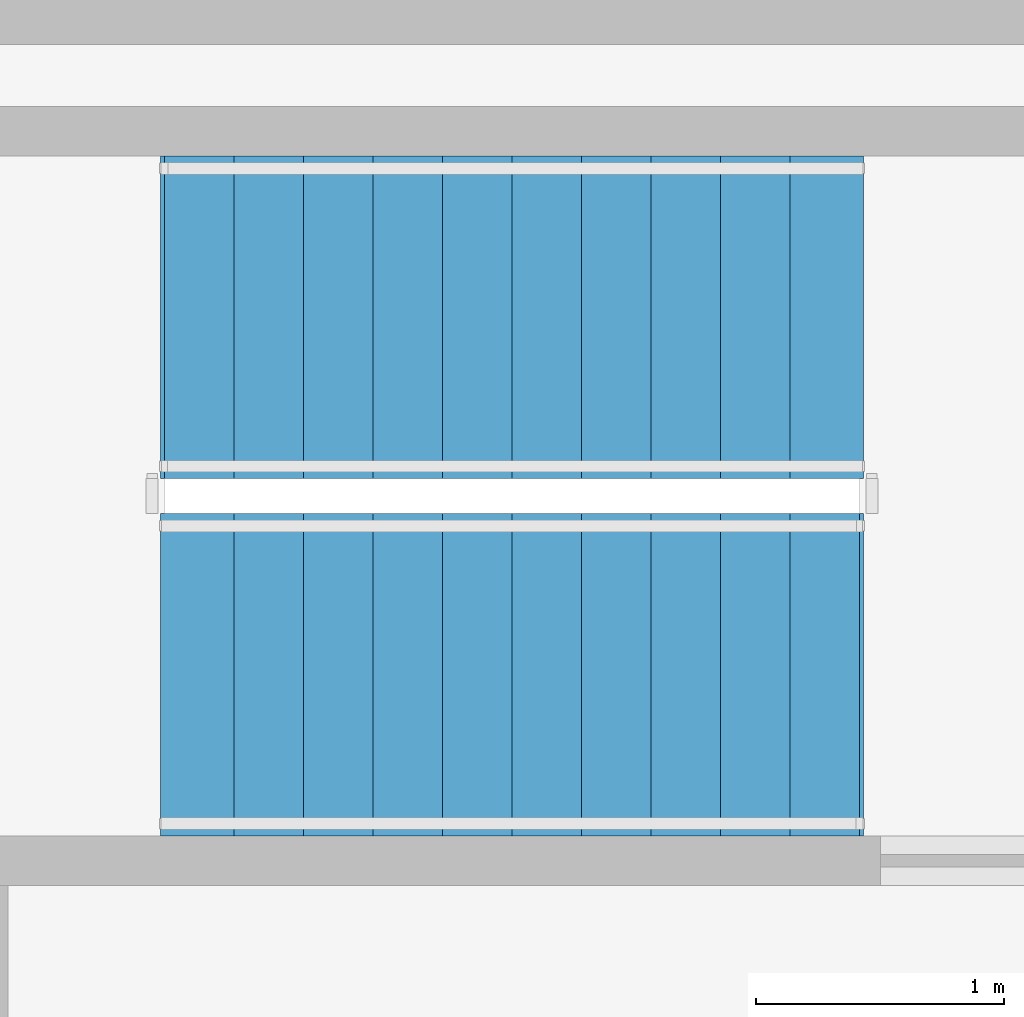
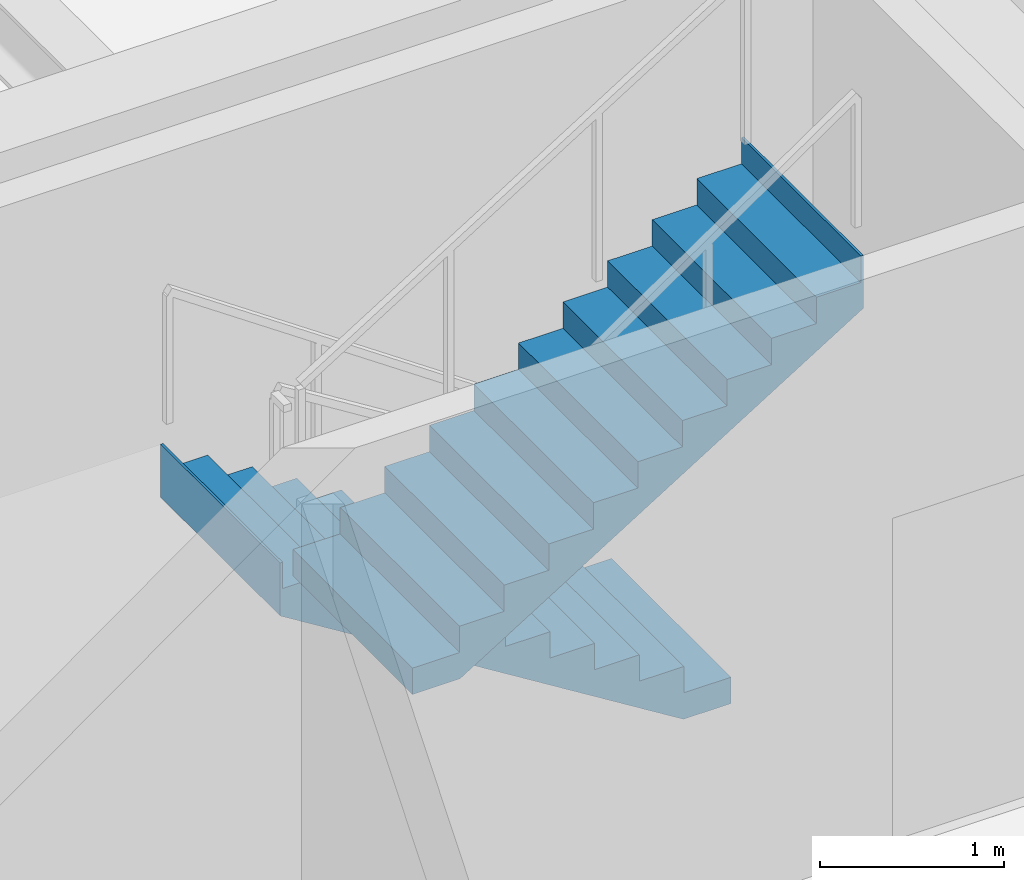
# One storey, part 9 of 13: 2 stair flights, 1 element without a shape of its own.
"""IFC4 building model written with IfcOpenShell, lengths in metres."""

from ifc_helpers import new_model, si_unit, derived_unit, direction, frame, origin, place, context, subcontext, project, spatial, polyline, outline, extrude, source, transform, mapped, material, layer, layer_set, type_object, element, aggregate, save


model = new_model("IFC4")

# Units and contexts
model_context = context("Model", 3, precision=1e-05, world=origin(), true_north=direction((0.0, 1.0)))
body_context = subcontext(model_context, "Body", "Model", "MODEL_VIEW")
ifc_project = project(units=[si_unit("LENGTHUNIT", "METRE"), si_unit("AREAUNIT", "SQUARE_METRE"), si_unit("VOLUMEUNIT", "CUBIC_METRE"), si_unit("PLANEANGLEUNIT", "RADIAN"), si_unit("MASSUNIT", "GRAM", prefix="KILO"), si_unit("THERMODYNAMICTEMPERATUREUNIT", "KELVIN"), si_unit("POWERUNIT", "WATT"), derived_unit("THERMALTRANSMITTANCEUNIT", [(si_unit("POWERUNIT", "WATT"), 1), (si_unit("AREAUNIT", "SQUARE_METRE"), -1), (si_unit("THERMODYNAMICTEMPERATUREUNIT", "KELVIN"), -1)])], contexts=[model_context])

# Site, building, storey
site_placement = place(None, origin())
site = spatial("IfcSite", under=ifc_project, at=site_placement, CompositionType="ELEMENT")
building_placement = place(site_placement, origin())
building = spatial("IfcBuilding", under=site, at=building_placement, Name="Zahravan Archway Hotel and Residences", CompositionType="ELEMENT")
storey_placement = place(building_placement, frame((0.0, 0.0, 181.10009765625)))
storey = spatial("IfcBuildingStorey", under=building, at=storey_placement, Name="L45", CompositionType="ELEMENT", Elevation=181.10009765625)

# Stair, stair flights
ifc_material = material(Name="Concrete C50/60", Category="concrete")
stair_type = type_object("IfcStairType", Name="STR-CORE-1300", PredefinedType="HALF_TURN_STAIR", material=ifc_material)
stair_placement = place(storey_placement, origin())
stair = element("IfcStair", 1, at=stair_placement, inside=storey, type_object=stair_type, Name="L45 Core B Exit Stair 2", PredefinedType="HALF_TURN_STAIR")
ifc_layer = layer(ifc_material, 0.199951171875, Name="Concrete C50/60", Category="concrete")
ifc_layer_set = layer_set([ifc_layer], Name="Concrete C50/60")
stair_flight_type = type_object("IfcStairFlightType", Name="SFL-CORE-1300", PredefinedType="STRAIGHT", material=ifc_layer_set)
shared_shape = source(origin(), body_context, "Body", "SweptSolid", [
    extrude(outline(polyline([(-0.01611328125, 0.0), (-0.01611328125, 0.175048828125), (0.280029296875, 0.175048828125), (0.280029296875, 0.35009765625), (0.56005859375, 0.35009765625), (0.56005859375, 0.52490234375), (0.840087890625, 0.52490234375), (0.840087890625, 0.699951171875), (1.1201171875, 0.699951171875), (1.1201171875, 0.875), (1.39990234375, 0.875), (1.39990234375, 1.050048828125), (1.679931640625, 1.050048828125), (1.679931640625, 1.22509765625), (1.9599609375, 1.22509765625), (1.9599609375, 1.39990234375), (2.239990234375, 1.39990234375), (2.239990234375, 1.574951171875), (2.52001953125, 1.574951171875), (2.52001953125, 1.75), (2.800048828125, 1.75), (2.800048828125, 1.925048828125), (2.816162109375, 1.925048828125), (2.816162109375, 1.5732421875), (0.28271484375, 0.0), (-0.01611328125, 0.0)])), frame((0.0, 0.64990234375, 0.0), z_axis=(0.0, -1.0, 0.0), x_axis=(1.0, 0.0, 0.0)), (0.0, 0.0, 1.0), 1.300048828125),
])
stair_flight_1_placement = place(storey_placement, frame((9.72998046875, 38.25, 0.0), z_axis=(0.0, 0.0, 1.0), x_axis=(-1.0, 0.0, 0.0)))
stair_flight_1 = element("IfcStairFlight", 2, at=stair_flight_1_placement, type_object=stair_flight_type, Name="ST-B2 flight 1", NumberOfRisers=11, NumberOfTreads=10, PredefinedType="STRAIGHT", RiserHeight=0.175, TreadLength=0.28, context=body_context, shape_type="MappedRepresentation", body=[
    mapped(shared_shape, transform((0.0, 0.0, 0.0), scale=1.0)),
])
stair_flight_2_placement = place(storey_placement, frame((6.929931640625, 36.81005859375, 1.9248046875), z_axis=(0.0, 0.0, 1.0), x_axis=(1.0, 0.0, 0.0)))
stair_flight_2 = element("IfcStairFlight", 3, at=stair_flight_2_placement, type_object=stair_flight_type, Name="ST-B2 flight 2", NumberOfRisers=11, NumberOfTreads=10, PredefinedType="STRAIGHT", RiserHeight=0.175, TreadLength=0.28, context=body_context, shape_type="MappedRepresentation", body=[
    mapped(shared_shape, transform((0.0, 0.0, 0.0), scale=1.0)),
])
aggregate(stair, [stair_flight_1, stair_flight_2])

save(model, "model.ifc")
